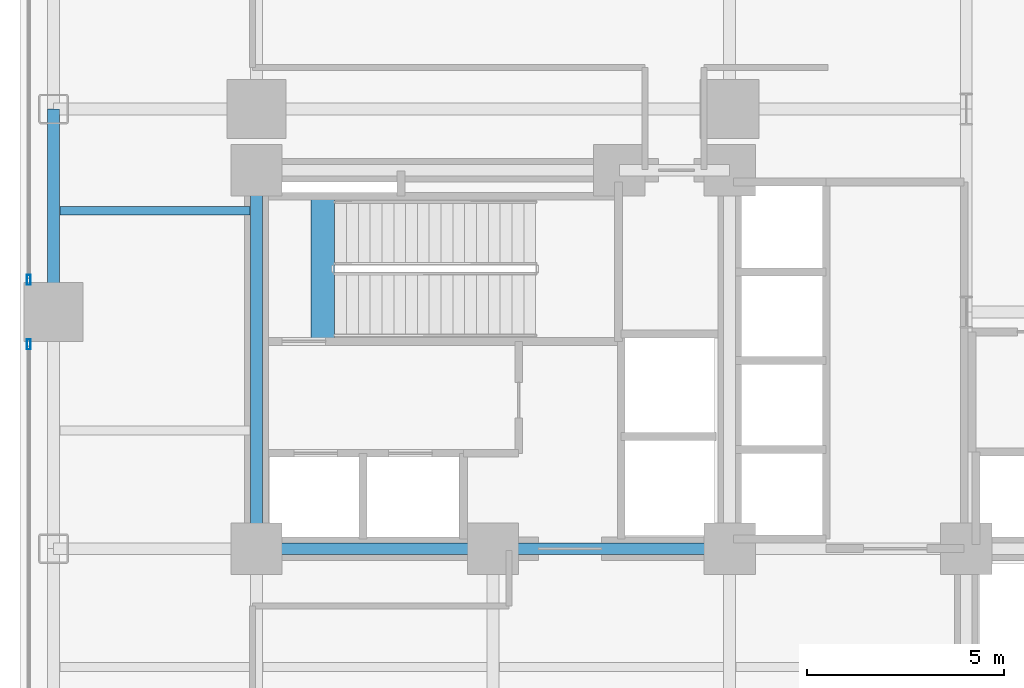
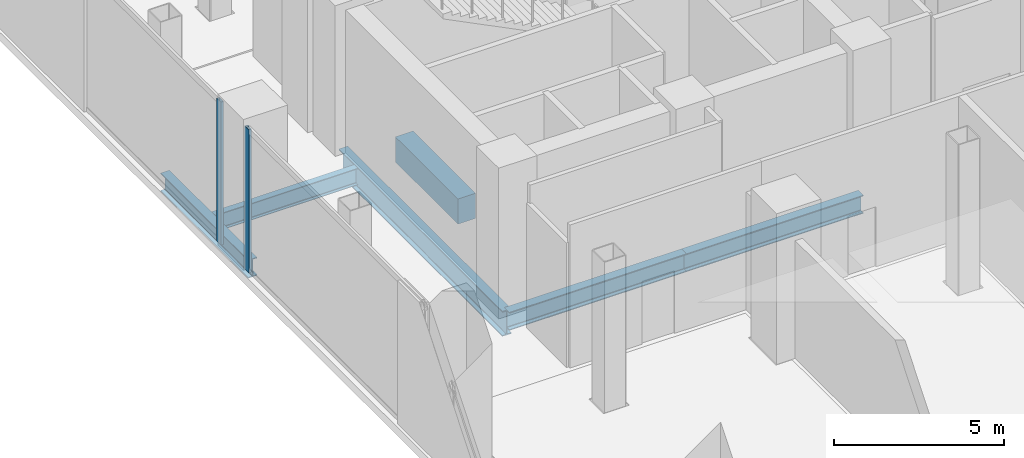
# One storey, part 7 of 27: 6 beams, 2 members, 2 elements without a shape of their own.
"""IFC4 building model written with IfcOpenShell, lengths in metres."""

import ifcopenshell
import ifcopenshell.guid

model = None  # the IFC model being written
_history = None  # IfcOwnerHistory: only IFC2X3 demands one
_inside = {}  # id of a spatial element -> (the spatial element, [elements in it])
_under = {}  # id of a project, library or spatial element -> (it, [spatial elements below it])
_declared = {}  # id of a project -> (the project, [libraries it declares])
_typed = {}  # id of a type object -> (the type object, [elements of that type])
_made_of = {}  # id of a material, layer set ... -> (it, [elements and type objects made of it])


def new_model(schema):
    """Start an empty IFC model of exactly this schema.

    Asked for "IFC4X3", IfcOpenShell would pick the latest addendum, in which some entities
    have other attributes; the version numbers below select the first issue.
    IFC2X3 requires an IfcOwnerHistory on every rooted entity: one is made here for all.
    """
    global model, _history
    if schema == "IFC4X3":
        model = ifcopenshell.file(schema_version=(4, 3, 0, 0))
    else:
        model = ifcopenshell.file(schema=schema)
    _inside.clear()
    _under.clear()
    _declared.clear()
    _typed.clear()
    _made_of.clear()
    _history = None
    if model.schema == "IFC2X3":
        org = make("IfcOrganization", Name="unknown")
        user = make(
            "IfcPersonAndOrganization",
            ThePerson=make("IfcPerson", FamilyName="unknown"),
            TheOrganization=org,
        )
        app = make(
            "IfcApplication",
            ApplicationDeveloper=org,
            Version="unknown",
            ApplicationFullName="unknown",
            ApplicationIdentifier="unknown",
        )
        _history = make(
            "IfcOwnerHistory",
            OwningUser=user,
            OwningApplication=app,
            ChangeAction="ADDED",
            CreationDate=0,
        )
    return model


def make(cls, **values):
    """One entity of the class cls with the attributes given. An attribute that is None is left unset."""
    return model.create_entity(
        cls, **{name: value for name, value in values.items() if value is not None}
    )


def rooted(cls, **values):
    """An entity with a GlobalId (a new one), such as an element, a storey or a relation."""
    return make(cls, GlobalId=ifcopenshell.guid.new(), OwnerHistory=_history, **values)


def si_unit(unit_type, name, prefix=None):
    """IfcSIUnit, for example si_unit("LENGTHUNIT", "METRE", prefix="MILLI")."""
    return make("IfcSIUnit", UnitType=unit_type, Prefix=prefix, Name=name)


def assignment(units):
    """IfcUnitAssignment: the units of a project."""
    return None if units is None else make("IfcUnitAssignment", Units=units)


def point(xyz):
    """IfcCartesianPoint."""
    return None if xyz is None else make("IfcCartesianPoint", Coordinates=xyz)


def direction(xyz):
    """IfcDirection."""
    return None if xyz is None else make("IfcDirection", DirectionRatios=xyz)


def frame(location, z_axis=None, x_axis=None):
    """IfcAxis2Placement3D, a coordinate frame: its origin and axes. An axis left out is left unset."""
    return make(
        "IfcAxis2Placement3D",
        Location=point(location),
        Axis=direction(z_axis),
        RefDirection=direction(x_axis),
    )


def frame_2d(location, x_axis=None):
    """IfcAxis2Placement2D, a coordinate frame in the plane: its origin and x axis."""
    return make(
        "IfcAxis2Placement2D", Location=point(location), RefDirection=direction(x_axis)
    )


def origin():
    """The frame at (0, 0, 0) with its axes left unset."""
    return frame((0.0, 0.0, 0.0))


def origin_2d():
    """The frame at (0, 0) in the plane with its x axis left unset."""
    return frame_2d((0.0, 0.0))


def place(relative_to, where):
    """IfcLocalPlacement: puts the frame where relative to a parent placement (None: the world)."""
    return make(
        "IfcLocalPlacement", PlacementRelTo=relative_to, RelativePlacement=where
    )


def context(
    kind, dimensions, precision=None, world=None, true_north=None, identifier=None
):
    """IfcGeometricRepresentationContext, for example the 3D "Model" context."""
    return make(
        "IfcGeometricRepresentationContext",
        ContextIdentifier=identifier,
        ContextType=kind,
        CoordinateSpaceDimension=dimensions,
        Precision=precision,
        WorldCoordinateSystem=world,
        TrueNorth=true_north,
    )


def subcontext(parent, identifier, kind, view, scale=None):
    """IfcGeometricRepresentationSubContext, for example "Body" below "Model"."""
    return make(
        "IfcGeometricRepresentationSubContext",
        ContextIdentifier=identifier,
        ContextType=kind,
        ParentContext=parent,
        TargetScale=scale,
        TargetView=view,
    )


def project(units=None, contexts=None):
    """IfcProject with its units and contexts."""
    return rooted(
        "IfcProject",
        Name="project",
        RepresentationContexts=contexts,
        UnitsInContext=assignment(units),
    )


def spatial(cls, under=None, at=None, **own):
    """A site, building, storey or space (cls), placed at a placement, below another one or the project."""
    s = rooted(cls, ObjectPlacement=at, **own)
    if under is not None:
        _under.setdefault(under.id(), (under, []))[1].append(s)
    return s


def profile(cls, at=None, kind="AREA", **sizes):
    """A parametric profile (cls). Its sizes go by their IFC names, for example OverallWidth=200.0."""
    return make(cls, ProfileType=kind, Position=at, **sizes)


def rectangle(**sizes):
    """IfcRectangleProfileDef."""
    return profile("IfcRectangleProfileDef", **sizes)


def hollow_rectangle(**sizes):
    """IfcRectangleHollowProfileDef."""
    return profile("IfcRectangleHollowProfileDef", **sizes)


def i_section(**sizes):
    """IfcIShapeProfileDef."""
    return profile("IfcIShapeProfileDef", **sizes)


def extrude(swept, where, along, depth):
    """IfcExtrudedAreaSolid: the profile swept, set in the frame where, extruded along a direction by depth."""
    return make(
        "IfcExtrudedAreaSolid",
        SweptArea=swept,
        Position=where,
        ExtrudedDirection=direction(along),
        Depth=depth,
    )


def shape(context_of_items, identifier, shape_type, items):
    """IfcShapeRepresentation: the items that make up one representation, for example the "Body"."""
    return make(
        "IfcShapeRepresentation",
        ContextOfItems=context_of_items,
        RepresentationIdentifier=identifier,
        RepresentationType=shape_type,
        Items=items,
    )


def material(Name=None, Category=None):
    """IfcMaterial."""
    return make("IfcMaterial", Name=Name, Category=Category)


def layer(
    of_material, thickness, ventilated=None, Name=None, Category=None, Priority=None
):
    """IfcMaterialLayer: one layer of a wall or slab, of a material (None: an air gap)."""
    return make(
        "IfcMaterialLayer",
        Material=of_material,
        LayerThickness=thickness,
        IsVentilated=ventilated,
        Name=Name,
        Category=Category,
        Priority=Priority,
    )


def layer_set(layers, Name=None):
    """IfcMaterialLayerSet."""
    return make("IfcMaterialLayerSet", MaterialLayers=layers, LayerSetName=Name)


def material_profile(
    of_material, cross_section, Name=None, Category=None, Priority=None
):
    """IfcMaterialProfile: a cross section and its material."""
    return make(
        "IfcMaterialProfile",
        Name=Name,
        Material=of_material,
        Profile=cross_section,
        Priority=Priority,
        Category=Category,
    )


def profile_set(profiles, Name=None, composite=None):
    """IfcMaterialProfileSet."""
    return make(
        "IfcMaterialProfileSet",
        Name=Name,
        MaterialProfiles=profiles,
        CompositeProfile=composite,
    )


def made_of(thing, what):
    """Note that an element or type object is made of a material, layer set ...; save() writes the relation."""
    if what is not None:
        _made_of.setdefault(what.id(), (what, []))[1].append(thing)
    return thing


def type_object(cls, material=None, **own):
    """A type object (cls), such as IfcWallType, which elements share."""
    return made_of(rooted(cls, **own), material)


def element(
    cls,
    number,
    at=None,
    inside=None,
    cuts=None,
    type_object=None,
    material=None,
    context=None,
    identifier="Body",
    shape_type=None,
    held_by="IfcProductDefinitionShape",
    body=None,
    shapes=None,
    **own,
):
    """One element of the class cls, such as IfcWall. Its Tag is "e" and its number.

    at: its placement. inside: the storey or other place that contains it. cuts: it is an
    opening in that element (IfcRelVoidsElement). A single representation is given by context,
    identifier, shape_type and body (its items); several are given by shapes. held_by: the class
    of the entity that holds the representations. save() writes the other relations.
    """
    e = rooted(cls, Tag="e%d" % number, ObjectPlacement=at, **own)
    if body is not None:
        shapes = [shape(context, identifier, shape_type, body)]
    if shapes is not None:
        e.Representation = make(held_by, Representations=shapes)
    if inside is not None:
        _inside.setdefault(inside.id(), (inside, []))[1].append(e)
    if cuts is not None:
        rooted(
            "IfcRelVoidsElement", RelatingBuildingElement=cuts, RelatedOpeningElement=e
        )
    if type_object is not None:
        _typed.setdefault(type_object.id(), (type_object, []))[1].append(e)
    return made_of(e, material)


def aggregate(whole, parts):
    """IfcRelAggregates: a whole, such as a stair, and the parts it consists of."""
    return rooted("IfcRelAggregates", RelatingObject=whole, RelatedObjects=parts)


def save(model, path):
    """Write the relations noted so far, then the file.

    IfcRelAggregates (storeys below a building ...), IfcRelContainedInSpatialStructure (elements
    in a storey), IfcRelDefinesByType, IfcRelAssociatesMaterial and IfcRelDeclares: one each for
    every whole, place, type object, material and project.
    """
    for whole, parts in _under.values():
        aggregate(whole, parts)
    for where, things in _inside.values():
        rooted(
            "IfcRelContainedInSpatialStructure",
            RelatedElements=things,
            RelatingStructure=where,
        )
    for kind, things in _typed.values():
        rooted("IfcRelDefinesByType", RelatedObjects=things, RelatingType=kind)
    for what, things in _made_of.values():
        rooted("IfcRelAssociatesMaterial", RelatedObjects=things, RelatingMaterial=what)
    for by, libraries in _declared.values():
        rooted("IfcRelDeclares", RelatingContext=by, RelatedDefinitions=libraries)
    model.write(path)


model = new_model("IFC4")

# Units and contexts
model_context = context("Model", 3, precision=1e-05, world=origin(), true_north=direction((0.0, 1.0)))
body_context = subcontext(model_context, "Body", "Model", "MODEL_VIEW")
ifc_project = project(units=[si_unit("LENGTHUNIT", "METRE"), si_unit("AREAUNIT", "SQUARE_METRE"), si_unit("VOLUMEUNIT", "CUBIC_METRE"), si_unit("PLANEANGLEUNIT", "RADIAN"), si_unit("MASSUNIT", "GRAM", prefix="KILO"), si_unit("THERMODYNAMICTEMPERATUREUNIT", "KELVIN"), si_unit("POWERUNIT", "WATT")], contexts=[model_context])

# Site, building, storey
site_placement = place(None, origin())
site = spatial("IfcSite", under=ifc_project, at=site_placement, CompositionType="ELEMENT")
building_placement = place(site_placement, origin())
building = spatial("IfcBuilding", under=site, at=building_placement, Name="Svarakhadi Broadcast Tower", CompositionType="ELEMENT")
storey_placement = place(building_placement, frame((0.0, 0.0, 5.699951171875)))
storey = spatial("IfcBuildingStorey", under=building, at=storey_placement, Name="L01", CompositionType="ELEMENT", Elevation=5.699951171875)

# Beam
ifc_material_1 = material(Name="Steel S355J2 (IS 2062 E350C)", Category="steel")
ifc_material_profile_1 = material_profile(ifc_material_1, i_section(OverallWidth=0.219970703125, OverallDepth=0.60009765625, WebThickness=0.011962890625, FlangeThickness=0.01904296875, FilletRadius=0.02392578125, at=origin_2d()), Name="NPB 600x220x122")
ifc_profile_set_1 = profile_set([ifc_material_profile_1], Name="Steel S355J2 (IS 2062 E350C)")
beam_type_1 = type_object("IfcBeamType", Name="Beam_NPB600", PredefinedType="BEAM", material=ifc_profile_set_1)
beam_1_placement = place(storey_placement, frame((1.010009765625, 26.574951171875, -0.599853515625), z_axis=(1.0, 0.0, 0.0), x_axis=(0.0, 1.0, 0.0)))
element("IfcBeam", 1, at=beam_1_placement, inside=storey, type_object=beam_type_1, Name="L01 Secondary Composite Beam SB004", PredefinedType="BEAM", context=body_context, shape_type="SweptSolid", body=[
    extrude(i_section(OverallWidth=0.219970703125, OverallDepth=0.60009765625, WebThickness=0.011962890625, FlangeThickness=0.01904296875, FilletRadius=0.02392578125, at=origin_2d()), origin(), (0.0, 0.0, 1.0), 4.830078125),
])

# Curtain wall, member
ifc_material_2 = material(Name="Anodised Bronze Aluminium AA 6063-T6", Category="aluminium")
ifc_layer = layer(ifc_material_2, 0.25)
ifc_layer_set = layer_set([ifc_layer], Name="Anodised Bronze Aluminium AA 6063-T6")
curtain_wall_type = type_object("IfcCurtainWallType", Name="CW_Sys_01", PredefinedType="NOTDEFINED", material=ifc_layer_set)
curtain_wall_1_placement = place(storey_placement, origin())
curtain_wall_1 = element("IfcCurtainWall", 2, at=curtain_wall_1_placement, inside=storey, type_object=curtain_wall_type, Name="L01 Unitised Facade Curtain Wall 02 Bay 2", PredefinedType="NOTDEFINED")
ifc_material_profile_2 = material_profile(ifc_material_2, hollow_rectangle(XDim=0.094970703125, YDim=0.25, WallThickness=0.006103515625, at=origin_2d()), Name="ALU MULLION 250x95x6")
ifc_profile_set_2 = profile_set([ifc_material_profile_2], Name="Anodised Bronze Aluminium AA 6063-T6")
member_type = type_object("IfcMemberType", Name="CW_Sys_01_Mul", PredefinedType="MULLION", material=ifc_profile_set_2)
member_1_placement = place(storey_placement, frame((0.219970703125, 23.1826171875, 0.0), z_axis=(0.0, 0.0, 1.0), x_axis=(-1.0, 0.0, 0.0)))
member_1 = element("IfcMember", 3, at=member_1_placement, type_object=member_type, Name="CW-01 mullion 2", PredefinedType="MULLION", context=body_context, shape_type="SweptSolid", body=[
    extrude(hollow_rectangle(XDim=0.094970703125, YDim=0.25, WallThickness=0.006103515625, at=origin_2d()), origin(), (0.0, 0.0, 1.0), 5.125),
])
aggregate(curtain_wall_1, [member_1])

curtain_wall_2_placement = place(storey_placement, origin())
curtain_wall_2 = element("IfcCurtainWall", 4, at=curtain_wall_2_placement, inside=storey, type_object=curtain_wall_type, Name="L01 Unitised Facade Curtain Wall 02 Bay 3", PredefinedType="NOTDEFINED")
member_2_placement = place(storey_placement, frame((0.219970703125, 24.8173828125, 0.0), z_axis=(0.0, 0.0, 1.0), x_axis=(-1.0, 0.0, 0.0)))
member_2 = element("IfcMember", 5, at=member_2_placement, type_object=member_type, Name="CW-01 mullion 1", PredefinedType="MULLION", context=body_context, shape_type="SweptSolid", body=[
    extrude(hollow_rectangle(XDim=0.094970703125, YDim=0.25, WallThickness=0.006103515625, at=origin_2d()), origin(), (0.0, 0.0, 1.0), 5.125),
])
aggregate(curtain_wall_2, [member_2])

# Beams
ifc_material_3 = material(Name="Concrete C50/60 (IS 456 M60)", Category="concrete")
ifc_material_profile_3 = material_profile(ifc_material_3, rectangle(XDim=0.60009765625, YDim=0.89990234375, at=origin_2d()), Name="RC 600x900")
ifc_profile_set_3 = profile_set([ifc_material_profile_3], Name="Concrete C50/60 (IS 456 M60)")
beam_type_2 = type_object("IfcBeamType", Name="Coupling_RC600", PredefinedType="USERDEFINED", material=ifc_profile_set_3)
beam_2_placement = place(storey_placement, frame((7.679931640625, 23.260009765625, -0.449951171875), z_axis=(0.0, 1.0, 0.0), x_axis=(-1.0, 0.0, 0.0)))
element("IfcBeam", 6, at=beam_2_placement, inside=storey, type_object=beam_type_2, Name="L01 Stair ST-01 Landing Throat Trimmer Beam CB-01", ObjectType="GIRDER", PredefinedType="USERDEFINED", context=body_context, shape_type="SweptSolid", body=[
    extrude(rectangle(XDim=0.60009765625, YDim=0.89990234375, at=origin_2d()), origin(), (0.0, 0.0, 1.0), 3.679931640625),
])
ifc_material_profile_4 = material_profile(ifc_material_1, i_section(OverallWidth=0.300048828125, OverallDepth=0.64990234375, WebThickness=0.01611328125, FlangeThickness=0.031005859375, FilletRadius=0.027099609375, at=origin_2d()), Name="WPB 650x300x225")
ifc_profile_set_4 = profile_set([ifc_material_profile_4], Name="Steel S355J2 (IS 2062 E350C)")
beam_type_3 = type_object("IfcBeamType", Name="Girder_WPB650", PredefinedType="USERDEFINED", material=ifc_profile_set_4)
for number, where, z_axis, x_axis, name in (
    (7, (6.0, 18.0, -0.625), (1.0, 0.0, 0.0), (0.0, 1.0, 0.0), "L01 Primary E-W Girder G021"),
    (8, (12.0, 18.0, -0.625), (1.0, 0.0, 0.0), (0.0, 1.0, 0.0), "L01 Primary E-W Girder G022"),
):
    element("IfcBeam", number, at=place(storey_placement, frame(where, z_axis=z_axis, x_axis=x_axis)), inside=storey, type_object=beam_type_3, Name=name, ObjectType="GIRDER", PredefinedType="USERDEFINED", context=body_context, shape_type="SweptSolid", body=[
        extrude(i_section(OverallWidth=0.300048828125, OverallDepth=0.64990234375, WebThickness=0.01611328125, FlangeThickness=0.031005859375, FilletRadius=0.027099609375, at=origin_2d()), origin(), (0.0, 0.0, 1.0), 6.0),
    ])
beam_3_placement = place(storey_placement, frame((0.85009765625, 24.0, -0.625), z_axis=(0.0, 1.0, 0.0), x_axis=(-1.0, 0.0, 0.0)))
element("IfcBeam", 9, at=beam_3_placement, inside=storey, type_object=beam_type_3, Name="L01 Primary N-S Girder G047", ObjectType="GIRDER", PredefinedType="USERDEFINED", context=body_context, shape_type="SweptSolid", body=[
    extrude(i_section(OverallWidth=0.300048828125, OverallDepth=0.64990234375, WebThickness=0.01611328125, FlangeThickness=0.031005859375, FilletRadius=0.027099609375, at=origin_2d()), origin(), (0.0, 0.0, 1.0), 5.14990234375),
])
ifc_material_4 = material(Name="Steel S460ML (IS 2062 E450BR)", Category="steel")
ifc_material_profile_5 = material_profile(ifc_material_4, i_section(OverallWidth=0.300048828125, OverallDepth=0.89990234375, WebThickness=0.0185546875, FlangeThickness=0.034912109375, FilletRadius=0.030029296875, at=origin_2d()), Name="WPB 900x300x291")
ifc_profile_set_5 = profile_set([ifc_material_profile_5], Name="Steel S460ML (IS 2062 E450BR)")
beam_type_4 = type_object("IfcBeamType", Name="Girder_WPB900", PredefinedType="USERDEFINED", material=ifc_profile_set_5)
beam_4_placement = place(storey_placement, frame((6.0, 18.0, -0.75), z_axis=(0.0, 1.0, 0.0), x_axis=(-1.0, 0.0, 0.0)))
element("IfcBeam", 10, at=beam_4_placement, inside=storey, type_object=beam_type_4, Name="L01 Primary N-S Girder G053", ObjectType="GIRDER", PredefinedType="USERDEFINED", context=body_context, shape_type="SweptSolid", body=[
    extrude(i_section(OverallWidth=0.300048828125, OverallDepth=0.89990234375, WebThickness=0.0185546875, FlangeThickness=0.034912109375, FilletRadius=0.030029296875, at=origin_2d()), origin(), (0.0, 0.0, 1.0), 9.60009765625),
])

save(model, "model.ifc")
